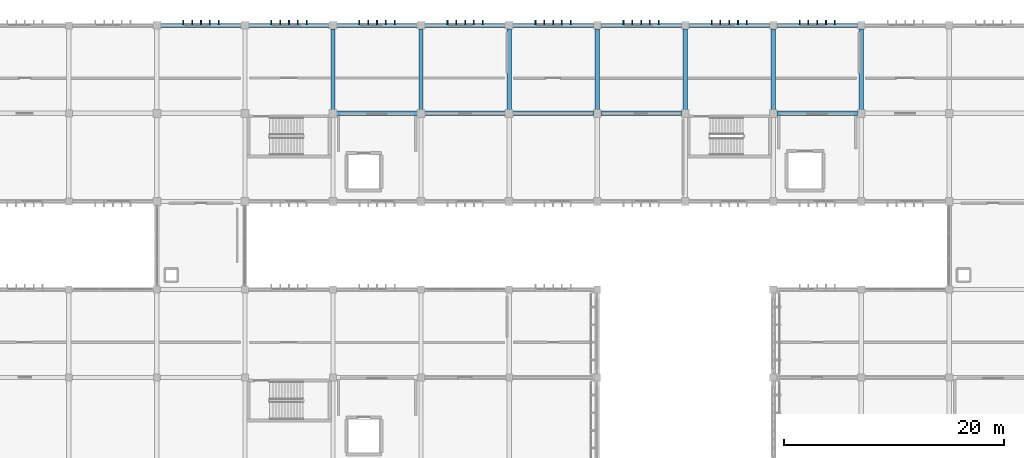
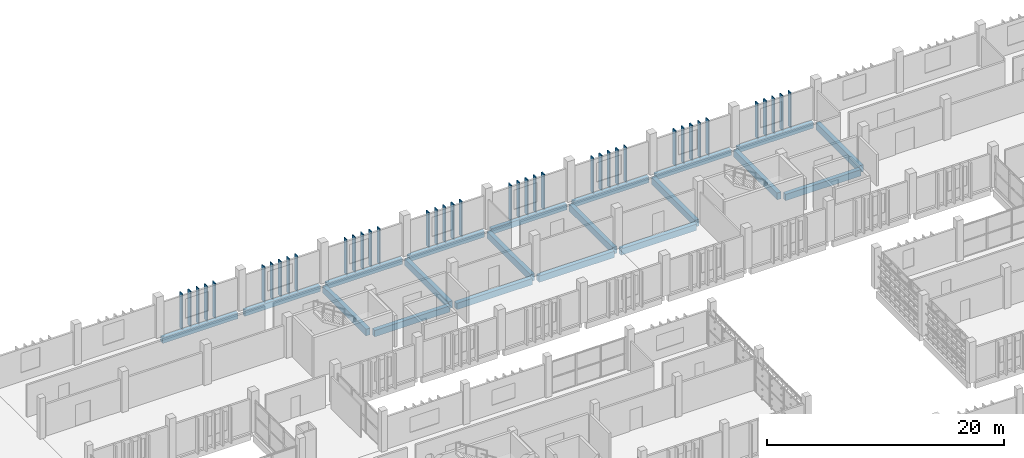
# One storey, part 36 of 83: 40 members, 20 beams.
"""IFC4 building model written with IfcOpenShell, lengths in metres."""

from ifc_helpers import new_model, si_unit, direction, frame, origin, origin_2d, place, context, subcontext, project, spatial, rectangle, extrude, material, material_profile, profile_set, type_object, element, save


model = new_model("IFC4")

# Units and contexts
model_context = context("Model", 3, precision=1e-05, world=origin(), true_north=direction((0.0, 1.0)))
body_context = subcontext(model_context, "Body", "Model", "MODEL_VIEW")
ifc_project = project(units=[si_unit("LENGTHUNIT", "METRE"), si_unit("AREAUNIT", "SQUARE_METRE"), si_unit("VOLUMEUNIT", "CUBIC_METRE"), si_unit("PLANEANGLEUNIT", "RADIAN"), si_unit("MASSUNIT", "GRAM", prefix="KILO")], contexts=[model_context])

# Site, building, storey
site_placement = place(None, origin())
site = spatial("IfcSite", under=ifc_project, at=site_placement, CompositionType="ELEMENT")
building_placement = place(site_placement, origin())
building = spatial("IfcBuilding", under=site, at=building_placement, Name="Jelvoka-Kovrelna Polytechnic", CompositionType="ELEMENT")
storey_placement = place(building_placement, frame((0.0, 0.0, 13.800048828125)))
storey = spatial("IfcBuildingStorey", under=building, at=storey_placement, Name="L04", CompositionType="ELEMENT", Elevation=13.800048828125)

# Beams
ifc_material_1 = material(Name="Concrete C40/50", Category="concrete")
ifc_material_profile_1 = material_profile(ifc_material_1, rectangle(XDim=0.39990234375, YDim=0.64990234375, at=origin_2d()), Name="RC 400x650")
ifc_profile_set_1 = profile_set([ifc_material_profile_1], Name="Concrete C40/50")
beam_type_1 = type_object("IfcBeamType", Name="Beam_RC_400x650", PredefinedType="BEAM", material=ifc_profile_set_1)
for number, where, z_axis, x_axis, name in (
    (1, (88.330078125, 64.0, -0.574951171875), (1.0, 0.0, 0.0), (0.0, 1.0, 0.0), "L04 beam 1268"),
    (2, (96.330078125, 64.0, -0.574951171875), (1.0, 0.0, 0.0), (0.0, 1.0, 0.0), "L04 beam 1269"),
    (3, (104.330078125, 64.0, -0.574951171875), (1.0, 0.0, 0.0), (0.0, 1.0, 0.0), "L04 beam 1270"),
    (4, (112.330078125, 64.0, -0.574951171875), (1.0, 0.0, 0.0), (0.0, 1.0, 0.0), "L04 beam 1304"),
    (5, (128.330078125, 64.0, -0.574951171875), (1.0, 0.0, 0.0), (0.0, 1.0, 0.0), "L04 beam 1305"),
):
    element("IfcBeam", number, at=place(storey_placement, frame(where, z_axis=z_axis, x_axis=x_axis)), inside=storey, type_object=beam_type_1, Name=name, PredefinedType="BEAM", context=body_context, shape_type="SweptSolid", body=[
        extrude(rectangle(XDim=0.39990234375, YDim=0.64990234375, at=origin_2d()), origin(), (0.0, 0.0, 1.0), 7.33984375),
    ])
ifc_material_2 = material(Name="Concrete C40/50", Category="concrete")
ifc_material_profile_2 = material_profile(ifc_material_2, rectangle(XDim=0.39990234375, YDim=0.699951171875, at=origin_2d()), Name="RC 400x700")
ifc_profile_set_2 = profile_set([ifc_material_profile_2], Name="Concrete C40/50")
beam_type_2 = type_object("IfcBeamType", Name="Beam_RC_400x700", PredefinedType="BEAM", material=ifc_profile_set_2)
for number, where, z_axis, x_axis, name in (
    (6, (88.0, 64.330078125, -0.60009765625), (0.0, 1.0, 0.0), (-1.0, 0.0, 0.0), "L04 beam 1287"),
    (7, (96.0, 64.330078125, -0.60009765625), (0.0, 1.0, 0.0), (-1.0, 0.0, 0.0), "L04 beam 1289"),
    (8, (104.0, 64.330078125, -0.60009765625), (0.0, 1.0, 0.0), (-1.0, 0.0, 0.0), "L04 beam 1291"),
    (9, (112.0, 64.330078125, -0.60009765625), (0.0, 1.0, 0.0), (-1.0, 0.0, 0.0), "L04 beam 1293"),
    (10, (120.0, 64.330078125, -0.60009765625), (0.0, 1.0, 0.0), (-1.0, 0.0, 0.0), "L04 beam 1323"),
    (11, (128.0, 64.330078125, -0.60009765625), (0.0, 1.0, 0.0), (-1.0, 0.0, 0.0), "L04 beam 1325"),
    (12, (136.0, 64.330078125, -0.60009765625), (0.0, 1.0, 0.0), (-1.0, 0.0, 0.0), "L04 beam 1327"),
):
    element("IfcBeam", number, at=place(storey_placement, frame(where, z_axis=z_axis, x_axis=x_axis)), inside=storey, type_object=beam_type_2, Name=name, PredefinedType="BEAM", context=body_context, shape_type="SweptSolid", body=[
        extrude(rectangle(XDim=0.39990234375, YDim=0.699951171875, at=origin_2d()), origin(), (0.0, 0.0, 1.0), 7.33984375),
    ])

# Members
ifc_material_3 = material(Name="Precast concrete C40/50", Category="concrete")
ifc_material_profile_3 = material_profile(ifc_material_3, rectangle(XDim=0.10009765625, YDim=0.449951171875, at=origin_2d()), Name="PC 100x450")
ifc_profile_set_3 = profile_set([ifc_material_profile_3], Name="Precast concrete C40/50")
member_type = type_object("IfcMemberType", Name="Louvre_Fin_100x450", PredefinedType="USERDEFINED", material=ifc_profile_set_3)
for number, where, z_axis, x_axis, name in (
    (13, (74.39990234375, 72.264892578125, -0.27001953125), (0.0, 0.0, 1.0), (1.0, 0.0, 0.0), "L04 B3 north vertical solar louvre fin 1641"),
    (14, (75.199951171875, 72.264892578125, -0.27001953125), (0.0, 0.0, 1.0), (1.0, 0.0, 0.0), "L04 B3 north vertical solar louvre fin 1642"),
    (15, (76.0, 72.264892578125, -0.27001953125), (0.0, 0.0, 1.0), (1.0, 0.0, 0.0), "L04 B3 north vertical solar louvre fin 1643"),
    (16, (76.800048828125, 72.264892578125, -0.27001953125), (0.0, 0.0, 1.0), (1.0, 0.0, 0.0), "L04 B3 north vertical solar louvre fin 1644"),
    (17, (77.60009765625, 72.264892578125, -0.27001953125), (0.0, 0.0, 1.0), (1.0, 0.0, 0.0), "L04 B3 north vertical solar louvre fin 1645"),
    (18, (82.39990234375, 72.264892578125, -0.27001953125), (0.0, 0.0, 1.0), (1.0, 0.0, 0.0), "L04 B3 north vertical solar louvre fin 1651"),
    (19, (83.199951171875, 72.264892578125, -0.27001953125), (0.0, 0.0, 1.0), (1.0, 0.0, 0.0), "L04 B3 north vertical solar louvre fin 1652"),
    (20, (84.0, 72.264892578125, -0.27001953125), (0.0, 0.0, 1.0), (1.0, 0.0, 0.0), "L04 B3 north vertical solar louvre fin 1653"),
    (21, (84.800048828125, 72.264892578125, -0.27001953125), (0.0, 0.0, 1.0), (1.0, 0.0, 0.0), "L04 B3 north vertical solar louvre fin 1654"),
    (22, (85.60009765625, 72.264892578125, -0.27001953125), (0.0, 0.0, 1.0), (1.0, 0.0, 0.0), "L04 B3 north vertical solar louvre fin 1655"),
    (23, (90.39990234375, 72.264892578125, -0.27001953125), (0.0, 0.0, 1.0), (1.0, 0.0, 0.0), "L04 B3 north vertical solar louvre fin 1661"),
    (24, (91.199951171875, 72.264892578125, -0.27001953125), (0.0, 0.0, 1.0), (1.0, 0.0, 0.0), "L04 B3 north vertical solar louvre fin 1662"),
    (25, (92.0, 72.264892578125, -0.27001953125), (0.0, 0.0, 1.0), (1.0, 0.0, 0.0), "L04 B3 north vertical solar louvre fin 1663"),
    (26, (92.800048828125, 72.264892578125, -0.27001953125), (0.0, 0.0, 1.0), (1.0, 0.0, 0.0), "L04 B3 north vertical solar louvre fin 1664"),
    (27, (93.60009765625, 72.264892578125, -0.27001953125), (0.0, 0.0, 1.0), (1.0, 0.0, 0.0), "L04 B3 north vertical solar louvre fin 1665"),
    (28, (98.39990234375, 72.264892578125, -0.27001953125), (0.0, 0.0, 1.0), (1.0, 0.0, 0.0), "L04 B3 north vertical solar louvre fin 1671"),
    (29, (99.199951171875, 72.264892578125, -0.27001953125), (0.0, 0.0, 1.0), (1.0, 0.0, 0.0), "L04 B3 north vertical solar louvre fin 1672"),
    (30, (100.0, 72.264892578125, -0.27001953125), (0.0, 0.0, 1.0), (1.0, 0.0, 0.0), "L04 B3 north vertical solar louvre fin 1673"),
    (31, (100.800048828125, 72.264892578125, -0.27001953125), (0.0, 0.0, 1.0), (1.0, 0.0, 0.0), "L04 B3 north vertical solar louvre fin 1674"),
    (32, (101.60009765625, 72.264892578125, -0.27001953125), (0.0, 0.0, 1.0), (1.0, 0.0, 0.0), "L04 B3 north vertical solar louvre fin 1675"),
    (33, (106.39990234375, 72.264892578125, -0.27001953125), (0.0, 0.0, 1.0), (1.0, 0.0, 0.0), "L04 B3 north vertical solar louvre fin 1681"),
    (34, (107.199951171875, 72.264892578125, -0.27001953125), (0.0, 0.0, 1.0), (1.0, 0.0, 0.0), "L04 B3 north vertical solar louvre fin 1682"),
    (35, (108.0, 72.264892578125, -0.27001953125), (0.0, 0.0, 1.0), (1.0, 0.0, 0.0), "L04 B3 north vertical solar louvre fin 1683"),
    (36, (108.800048828125, 72.264892578125, -0.27001953125), (0.0, 0.0, 1.0), (1.0, 0.0, 0.0), "L04 B3 north vertical solar louvre fin 1684"),
    (37, (109.60009765625, 72.264892578125, -0.27001953125), (0.0, 0.0, 1.0), (1.0, 0.0, 0.0), "L04 B3 north vertical solar louvre fin 1685"),
    (38, (114.39990234375, 72.264892578125, -0.27001953125), (0.0, 0.0, 1.0), (1.0, 0.0, 0.0), "L04 B3 north vertical solar louvre fin 1691"),
    (39, (115.199951171875, 72.264892578125, -0.27001953125), (0.0, 0.0, 1.0), (1.0, 0.0, 0.0), "L04 B3 north vertical solar louvre fin 1692"),
    (40, (116.0, 72.264892578125, -0.27001953125), (0.0, 0.0, 1.0), (1.0, 0.0, 0.0), "L04 B3 north vertical solar louvre fin 1693"),
    (41, (116.800048828125, 72.264892578125, -0.27001953125), (0.0, 0.0, 1.0), (1.0, 0.0, 0.0), "L04 B3 north vertical solar louvre fin 1694"),
    (42, (117.60009765625, 72.264892578125, -0.27001953125), (0.0, 0.0, 1.0), (1.0, 0.0, 0.0), "L04 B3 north vertical solar louvre fin 1695"),
    (43, (122.39990234375, 72.264892578125, -0.27001953125), (0.0, 0.0, 1.0), (1.0, 0.0, 0.0), "L04 B3 north vertical solar louvre fin 1701"),
    (44, (123.199951171875, 72.264892578125, -0.27001953125), (0.0, 0.0, 1.0), (1.0, 0.0, 0.0), "L04 B3 north vertical solar louvre fin 1702"),
    (45, (124.0, 72.264892578125, -0.27001953125), (0.0, 0.0, 1.0), (1.0, 0.0, 0.0), "L04 B3 north vertical solar louvre fin 1703"),
    (46, (124.800048828125, 72.264892578125, -0.27001953125), (0.0, 0.0, 1.0), (1.0, 0.0, 0.0), "L04 B3 north vertical solar louvre fin 1704"),
    (47, (125.60009765625, 72.264892578125, -0.27001953125), (0.0, 0.0, 1.0), (1.0, 0.0, 0.0), "L04 B3 north vertical solar louvre fin 1705"),
    (48, (130.39990234375, 72.264892578125, -0.27001953125), (0.0, 0.0, 1.0), (1.0, 0.0, 0.0), "L04 B3 north vertical solar louvre fin 1711"),
    (49, (131.199951171875, 72.264892578125, -0.27001953125), (0.0, 0.0, 1.0), (1.0, 0.0, 0.0), "L04 B3 north vertical solar louvre fin 1712"),
    (50, (132.0, 72.264892578125, -0.27001953125), (0.0, 0.0, 1.0), (1.0, 0.0, 0.0), "L04 B3 north vertical solar louvre fin 1713"),
    (51, (132.800048828125, 72.264892578125, -0.27001953125), (0.0, 0.0, 1.0), (1.0, 0.0, 0.0), "L04 B3 north vertical solar louvre fin 1714"),
    (52, (133.60009765625, 72.264892578125, -0.27001953125), (0.0, 0.0, 1.0), (1.0, 0.0, 0.0), "L04 B3 north vertical solar louvre fin 1715"),
):
    element("IfcMember", number, at=place(storey_placement, frame(where, z_axis=z_axis, x_axis=x_axis)), inside=storey, type_object=member_type, Name=name, ObjectType="SUNSHADE", PredefinedType="USERDEFINED", context=body_context, shape_type="SweptSolid", body=[
        extrude(rectangle(XDim=0.10009765625, YDim=0.449951171875, at=origin_2d()), origin(), (0.0, 0.0, 1.0), 3.64501953125),
    ])

# Beams
ifc_material_4 = material(Name="Concrete C40/50", Category="concrete")
ifc_material_profile_4 = material_profile(ifc_material_4, rectangle(XDim=0.35009765625, YDim=0.60009765625, at=origin_2d()), Name="RC 350x600")
ifc_profile_set_4 = profile_set([ifc_material_profile_4], Name="Concrete C40/50")
beam_type_3 = type_object("IfcBeamType", Name="Spandrel_RC_350x600", PredefinedType="SPANDREL", material=ifc_profile_set_4)
for number, where, z_axis, x_axis, name in (
    (53, (72.330078125, 72.0, -0.550048828125), (1.0, 0.0, 0.0), (0.0, 1.0, 0.0), "L04 beam 1273"),
    (54, (80.330078125, 72.0, -0.550048828125), (1.0, 0.0, 0.0), (0.0, 1.0, 0.0), "L04 beam 1274"),
    (55, (88.330078125, 72.0, -0.550048828125), (1.0, 0.0, 0.0), (0.0, 1.0, 0.0), "L04 beam 1275"),
    (56, (96.330078125, 72.0, -0.550048828125), (1.0, 0.0, 0.0), (0.0, 1.0, 0.0), "L04 beam 1276"),
    (57, (104.330078125, 72.0, -0.550048828125), (1.0, 0.0, 0.0), (0.0, 1.0, 0.0), "L04 beam 1277"),
    (58, (112.330078125, 72.0, -0.550048828125), (1.0, 0.0, 0.0), (0.0, 1.0, 0.0), "L04 beam 1312"),
    (59, (120.330078125, 72.0, -0.550048828125), (1.0, 0.0, 0.0), (0.0, 1.0, 0.0), "L04 beam 1313"),
    (60, (128.330078125, 72.0, -0.550048828125), (1.0, 0.0, 0.0), (0.0, 1.0, 0.0), "L04 beam 1314"),
):
    element("IfcBeam", number, at=place(storey_placement, frame(where, z_axis=z_axis, x_axis=x_axis)), inside=storey, type_object=beam_type_3, Name=name, PredefinedType="SPANDREL", context=body_context, shape_type="SweptSolid", body=[
        extrude(rectangle(XDim=0.35009765625, YDim=0.60009765625, at=origin_2d()), origin(), (0.0, 0.0, 1.0), 7.33984375),
    ])

save(model, "model.ifc")
